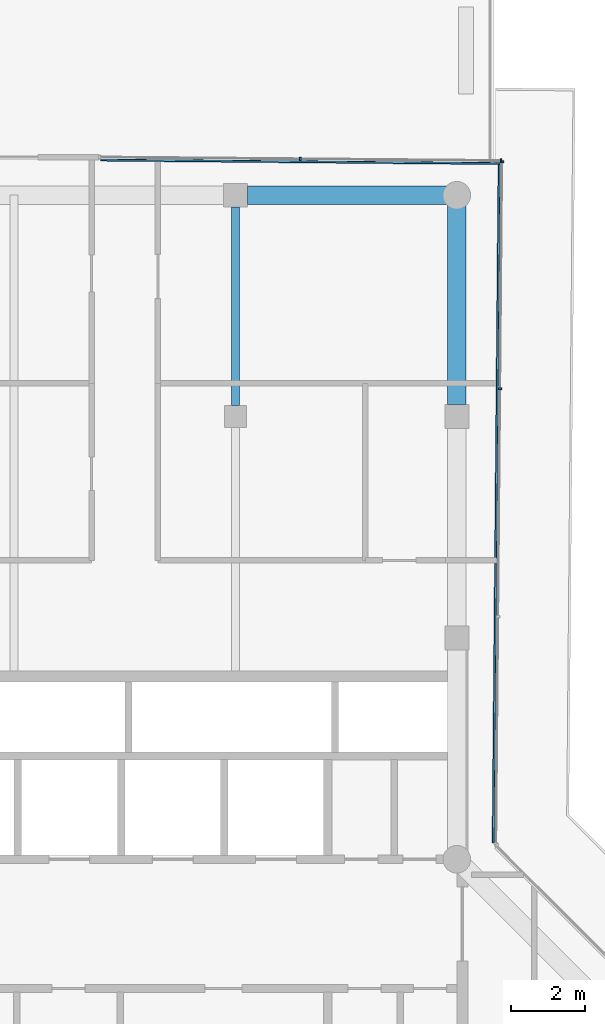
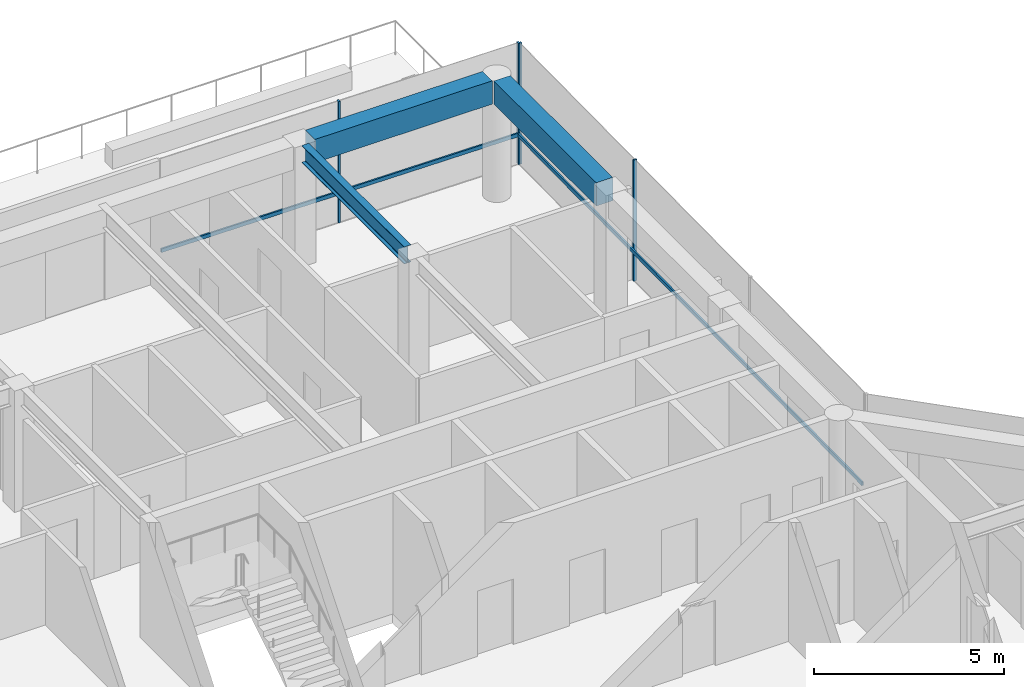
# One storey, part 11 of 17: 6 members, 3 beams, 2 elements without a shape of their own.
"""IFC4 building model written with IfcOpenShell, lengths in metres."""

import ifcopenshell
import ifcopenshell.guid

model = None  # the IFC model being written
_history = None  # IfcOwnerHistory: only IFC2X3 demands one
_inside = {}  # id of a spatial element -> (the spatial element, [elements in it])
_under = {}  # id of a project, library or spatial element -> (it, [spatial elements below it])
_declared = {}  # id of a project -> (the project, [libraries it declares])
_typed = {}  # id of a type object -> (the type object, [elements of that type])
_made_of = {}  # id of a material, layer set ... -> (it, [elements and type objects made of it])


def new_model(schema):
    """Start an empty IFC model of exactly this schema.

    Asked for "IFC4X3", IfcOpenShell would pick the latest addendum, in which some entities
    have other attributes; the version numbers below select the first issue.
    IFC2X3 requires an IfcOwnerHistory on every rooted entity: one is made here for all.
    """
    global model, _history
    if schema == "IFC4X3":
        model = ifcopenshell.file(schema_version=(4, 3, 0, 0))
    else:
        model = ifcopenshell.file(schema=schema)
    _inside.clear()
    _under.clear()
    _declared.clear()
    _typed.clear()
    _made_of.clear()
    _history = None
    if model.schema == "IFC2X3":
        org = make("IfcOrganization", Name="unknown")
        user = make(
            "IfcPersonAndOrganization",
            ThePerson=make("IfcPerson", FamilyName="unknown"),
            TheOrganization=org,
        )
        app = make(
            "IfcApplication",
            ApplicationDeveloper=org,
            Version="unknown",
            ApplicationFullName="unknown",
            ApplicationIdentifier="unknown",
        )
        _history = make(
            "IfcOwnerHistory",
            OwningUser=user,
            OwningApplication=app,
            ChangeAction="ADDED",
            CreationDate=0,
        )
    return model


def make(cls, **values):
    """One entity of the class cls with the attributes given. An attribute that is None is left unset."""
    return model.create_entity(
        cls, **{name: value for name, value in values.items() if value is not None}
    )


def rooted(cls, **values):
    """An entity with a GlobalId (a new one), such as an element, a storey or a relation."""
    return make(cls, GlobalId=ifcopenshell.guid.new(), OwnerHistory=_history, **values)


def si_unit(unit_type, name, prefix=None):
    """IfcSIUnit, for example si_unit("LENGTHUNIT", "METRE", prefix="MILLI")."""
    return make("IfcSIUnit", UnitType=unit_type, Prefix=prefix, Name=name)


def assignment(units):
    """IfcUnitAssignment: the units of a project."""
    return None if units is None else make("IfcUnitAssignment", Units=units)


def point(xyz):
    """IfcCartesianPoint."""
    return None if xyz is None else make("IfcCartesianPoint", Coordinates=xyz)


def direction(xyz):
    """IfcDirection."""
    return None if xyz is None else make("IfcDirection", DirectionRatios=xyz)


def frame(location, z_axis=None, x_axis=None):
    """IfcAxis2Placement3D, a coordinate frame: its origin and axes. An axis left out is left unset."""
    return make(
        "IfcAxis2Placement3D",
        Location=point(location),
        Axis=direction(z_axis),
        RefDirection=direction(x_axis),
    )


def frame_2d(location, x_axis=None):
    """IfcAxis2Placement2D, a coordinate frame in the plane: its origin and x axis."""
    return make(
        "IfcAxis2Placement2D", Location=point(location), RefDirection=direction(x_axis)
    )


def origin():
    """The frame at (0, 0, 0) with its axes left unset."""
    return frame((0.0, 0.0, 0.0))


def origin_2d():
    """The frame at (0, 0) in the plane with its x axis left unset."""
    return frame_2d((0.0, 0.0))


def place(relative_to, where):
    """IfcLocalPlacement: puts the frame where relative to a parent placement (None: the world)."""
    return make(
        "IfcLocalPlacement", PlacementRelTo=relative_to, RelativePlacement=where
    )


def context(
    kind, dimensions, precision=None, world=None, true_north=None, identifier=None
):
    """IfcGeometricRepresentationContext, for example the 3D "Model" context."""
    return make(
        "IfcGeometricRepresentationContext",
        ContextIdentifier=identifier,
        ContextType=kind,
        CoordinateSpaceDimension=dimensions,
        Precision=precision,
        WorldCoordinateSystem=world,
        TrueNorth=true_north,
    )


def subcontext(parent, identifier, kind, view, scale=None):
    """IfcGeometricRepresentationSubContext, for example "Body" below "Model"."""
    return make(
        "IfcGeometricRepresentationSubContext",
        ContextIdentifier=identifier,
        ContextType=kind,
        ParentContext=parent,
        TargetScale=scale,
        TargetView=view,
    )


def project(units=None, contexts=None):
    """IfcProject with its units and contexts."""
    return rooted(
        "IfcProject",
        Name="project",
        RepresentationContexts=contexts,
        UnitsInContext=assignment(units),
    )


def spatial(cls, under=None, at=None, **own):
    """A site, building, storey or space (cls), placed at a placement, below another one or the project."""
    s = rooted(cls, ObjectPlacement=at, **own)
    if under is not None:
        _under.setdefault(under.id(), (under, []))[1].append(s)
    return s


def profile(cls, at=None, kind="AREA", **sizes):
    """A parametric profile (cls). Its sizes go by their IFC names, for example OverallWidth=200.0."""
    return make(cls, ProfileType=kind, Position=at, **sizes)


def rectangle(**sizes):
    """IfcRectangleProfileDef."""
    return profile("IfcRectangleProfileDef", **sizes)


def i_section(**sizes):
    """IfcIShapeProfileDef."""
    return profile("IfcIShapeProfileDef", **sizes)


def extrude(swept, where, along, depth):
    """IfcExtrudedAreaSolid: the profile swept, set in the frame where, extruded along a direction by depth."""
    return make(
        "IfcExtrudedAreaSolid",
        SweptArea=swept,
        Position=where,
        ExtrudedDirection=direction(along),
        Depth=depth,
    )


def shape(context_of_items, identifier, shape_type, items):
    """IfcShapeRepresentation: the items that make up one representation, for example the "Body"."""
    return make(
        "IfcShapeRepresentation",
        ContextOfItems=context_of_items,
        RepresentationIdentifier=identifier,
        RepresentationType=shape_type,
        Items=items,
    )


def material(Name=None, Category=None):
    """IfcMaterial."""
    return make("IfcMaterial", Name=Name, Category=Category)


def layer(
    of_material, thickness, ventilated=None, Name=None, Category=None, Priority=None
):
    """IfcMaterialLayer: one layer of a wall or slab, of a material (None: an air gap)."""
    return make(
        "IfcMaterialLayer",
        Material=of_material,
        LayerThickness=thickness,
        IsVentilated=ventilated,
        Name=Name,
        Category=Category,
        Priority=Priority,
    )


def layer_set(layers, Name=None):
    """IfcMaterialLayerSet."""
    return make("IfcMaterialLayerSet", MaterialLayers=layers, LayerSetName=Name)


def material_profile(
    of_material, cross_section, Name=None, Category=None, Priority=None
):
    """IfcMaterialProfile: a cross section and its material."""
    return make(
        "IfcMaterialProfile",
        Name=Name,
        Material=of_material,
        Profile=cross_section,
        Priority=Priority,
        Category=Category,
    )


def profile_set(profiles, Name=None, composite=None):
    """IfcMaterialProfileSet."""
    return make(
        "IfcMaterialProfileSet",
        Name=Name,
        MaterialProfiles=profiles,
        CompositeProfile=composite,
    )


def made_of(thing, what):
    """Note that an element or type object is made of a material, layer set ...; save() writes the relation."""
    if what is not None:
        _made_of.setdefault(what.id(), (what, []))[1].append(thing)
    return thing


def type_object(cls, material=None, **own):
    """A type object (cls), such as IfcWallType, which elements share."""
    return made_of(rooted(cls, **own), material)


def element(
    cls,
    number,
    at=None,
    inside=None,
    cuts=None,
    type_object=None,
    material=None,
    context=None,
    identifier="Body",
    shape_type=None,
    held_by="IfcProductDefinitionShape",
    body=None,
    shapes=None,
    **own,
):
    """One element of the class cls, such as IfcWall. Its Tag is "e" and its number.

    at: its placement. inside: the storey or other place that contains it. cuts: it is an
    opening in that element (IfcRelVoidsElement). A single representation is given by context,
    identifier, shape_type and body (its items); several are given by shapes. held_by: the class
    of the entity that holds the representations. save() writes the other relations.
    """
    e = rooted(cls, Tag="e%d" % number, ObjectPlacement=at, **own)
    if body is not None:
        shapes = [shape(context, identifier, shape_type, body)]
    if shapes is not None:
        e.Representation = make(held_by, Representations=shapes)
    if inside is not None:
        _inside.setdefault(inside.id(), (inside, []))[1].append(e)
    if cuts is not None:
        rooted(
            "IfcRelVoidsElement", RelatingBuildingElement=cuts, RelatedOpeningElement=e
        )
    if type_object is not None:
        _typed.setdefault(type_object.id(), (type_object, []))[1].append(e)
    return made_of(e, material)


def aggregate(whole, parts):
    """IfcRelAggregates: a whole, such as a stair, and the parts it consists of."""
    return rooted("IfcRelAggregates", RelatingObject=whole, RelatedObjects=parts)


def save(model, path):
    """Write the relations noted so far, then the file.

    IfcRelAggregates (storeys below a building ...), IfcRelContainedInSpatialStructure (elements
    in a storey), IfcRelDefinesByType, IfcRelAssociatesMaterial and IfcRelDeclares: one each for
    every whole, place, type object, material and project.
    """
    for whole, parts in _under.values():
        aggregate(whole, parts)
    for where, things in _inside.values():
        rooted(
            "IfcRelContainedInSpatialStructure",
            RelatedElements=things,
            RelatingStructure=where,
        )
    for kind, things in _typed.values():
        rooted("IfcRelDefinesByType", RelatedObjects=things, RelatingType=kind)
    for what, things in _made_of.values():
        rooted("IfcRelAssociatesMaterial", RelatedObjects=things, RelatingMaterial=what)
    for by, libraries in _declared.values():
        rooted("IfcRelDeclares", RelatingContext=by, RelatedDefinitions=libraries)
    model.write(path)


model = new_model("IFC4")

# Units and contexts
model_context = context("Model", 3, precision=1e-05, world=origin(), true_north=direction((0.0, 1.0)))
body_context = subcontext(model_context, "Body", "Model", "MODEL_VIEW")
ifc_project = project(units=[si_unit("LENGTHUNIT", "METRE"), si_unit("AREAUNIT", "SQUARE_METRE"), si_unit("VOLUMEUNIT", "CUBIC_METRE"), si_unit("PLANEANGLEUNIT", "RADIAN"), si_unit("MASSUNIT", "GRAM", prefix="KILO")], contexts=[model_context])

# Site, building, storey
site_placement = place(None, origin())
site = spatial("IfcSite", under=ifc_project, at=site_placement, CompositionType="ELEMENT")
building_placement = place(site_placement, origin())
building = spatial("IfcBuilding", under=site, at=building_placement, Name="Welwitschia Terrace Campus", CompositionType="ELEMENT")
storey_placement = place(building_placement, frame((0.0, 0.0, 335.60009765625)))
storey = spatial("IfcBuildingStorey", under=building, at=storey_placement, Name="L75", CompositionType="ELEMENT", Elevation=335.60009765625)

# Beam
ifc_material_1 = material(Name="Steel S355", Category="steel")
ifc_material_profile_1 = material_profile(ifc_material_1, i_section(OverallWidth=0.2099609375, OverallDepth=0.550048828125, WebThickness=0.010986328125, FlangeThickness=0.01708984375, FilletRadius=0.02392578125, at=origin_2d()))
ifc_profile_set_1 = profile_set([ifc_material_profile_1], Name="Steel S355")
beam_type_1 = type_object("IfcBeamType", Name="Interior girder IPE 550", PredefinedType="BEAM", material=ifc_profile_set_1)
beam_placement = place(storey_placement, frame((18.0, 32.300537109375, 3.625), z_axis=(0.0, 1.0, 0.0), x_axis=(-1.0, 0.0, 0.0)))
element("IfcBeam", 1, at=beam_placement, inside=storey, type_object=beam_type_1, Name="Girder GB7", PredefinedType="BEAM", context=body_context, shape_type="SweptSolid", body=[
    extrude(i_section(OverallWidth=0.2099609375, OverallDepth=0.550048828125, WebThickness=0.010986328125, FlangeThickness=0.01708984375, FilletRadius=0.02392578125, at=origin_2d()), origin(), (0.0, 0.0, 1.0), 5.384033203125),
])

# Curtain wall, members
ifc_material_2 = material(Name="Bronze anodised aluminium", Category="aluminium")
ifc_layer = layer(ifc_material_2, 0.10009765625)
ifc_layer_set = layer_set([ifc_layer], Name="Bronze anodised aluminium")
curtain_wall_type = type_object("IfcCurtainWallType", Name="Curtain wall CW5 crown 6000", PredefinedType="NOTDEFINED", material=ifc_layer_set)
curtain_wall_1_placement = place(storey_placement, origin())
curtain_wall_1 = element("IfcCurtainWall", 2, at=curtain_wall_1_placement, inside=storey, type_object=curtain_wall_type, Name="CW L75.8.0", PredefinedType="NOTDEFINED")
ifc_material_3 = material(Name="Bronze anodised aluminium", Category="aluminium")
ifc_material_profile_2 = material_profile(ifc_material_3, rectangle(XDim=0.10009765625, YDim=0.050048828125, at=origin_2d()))
ifc_profile_set_2 = profile_set([ifc_material_profile_2], Name="Bronze anodised aluminium")
member_type_1 = type_object("IfcMemberType", Name="Mullion 50x100", PredefinedType="MULLION", material=ifc_profile_set_2)
member_1_placement = place(storey_placement, frame((25.1689453125, 32.7548828125, 0.0), z_axis=(0.0, 0.0, 1.0), x_axis=(-0.999961923064, 0.008726535498, 0.0)))
member_1 = element("IfcMember", 3, at=member_1_placement, type_object=member_type_1, Name="Mullion L75.8.0.2", PredefinedType="MULLION", context=body_context, shape_type="SweptSolid", body=[
    extrude(rectangle(XDim=0.10009765625, YDim=0.050048828125, at=origin_2d()), origin(), (0.0, 0.0, 1.0), 3.89990234375),
])
member_2_placement = place(storey_placement, frame((25.22265625, 38.90966796875, 0.0), z_axis=(0.0, 0.0, 1.0), x_axis=(-0.999961923064, 0.008726535498, 0.0)))
member_2 = element("IfcMember", 4, at=member_2_placement, type_object=member_type_1, Name="Mullion L75.8.0.3", PredefinedType="MULLION", context=body_context, shape_type="SweptSolid", body=[
    extrude(rectangle(XDim=0.10009765625, YDim=0.050048828125, at=origin_2d()), origin(), (0.0, 0.0, 1.0), 3.89990234375),
])

curtain_wall_2_placement = place(storey_placement, origin())
curtain_wall_2 = element("IfcCurtainWall", 5, at=curtain_wall_2_placement, inside=storey, type_object=curtain_wall_type, Name="CW L75.9.0", PredefinedType="NOTDEFINED")
member_3_placement = place(storey_placement, frame((25.197998046875, 38.934814453125, 0.0), z_axis=(0.0, 0.0, 1.0), x_axis=(-0.008726535498, -0.999961923064, 0.0)))
member_3 = element("IfcMember", 6, at=member_3_placement, type_object=member_type_1, Name="Mullion L75.9.0.0", PredefinedType="MULLION", context=body_context, shape_type="SweptSolid", body=[
    extrude(rectangle(XDim=0.10009765625, YDim=0.050048828125, at=origin_2d()), origin(), (0.0, 0.0, 1.0), 3.89990234375),
])
member_4_placement = place(storey_placement, frame((19.759765625, 38.982421875, 0.0), z_axis=(0.0, 0.0, 1.0), x_axis=(-0.008726535498, -0.999961923064, 0.0)))
member_4 = element("IfcMember", 7, at=member_4_placement, type_object=member_type_1, Name="Mullion L75.9.0.1", PredefinedType="MULLION", context=body_context, shape_type="SweptSolid", body=[
    extrude(rectangle(XDim=0.10009765625, YDim=0.050048828125, at=origin_2d()), origin(), (0.0, 0.0, 1.0), 3.89990234375),
])

# Beams
ifc_material_4 = material(Name="Concrete C40/50", Category="concrete")
ifc_material_profile_3 = material_profile(ifc_material_4, rectangle(XDim=0.5, YDim=0.75, at=origin_2d()))
ifc_profile_set_3 = profile_set([ifc_material_profile_3], Name="Concrete C40/50")
beam_type_2 = type_object("IfcBeamType", Name="Ring spandrel 500x750", PredefinedType="SPANDREL", material=ifc_profile_set_3)
for number, where, z_axis, x_axis, name in (
    (8, (24.0, 32.325439453125, 3.52490234375), (0.0, 1.0, 0.0), (-1.0, 0.0, 0.0), "Spandrel SP5"),
    (9, (23.719482421875, 38.0, 3.52490234375), (-1.0, 0.0, 0.0), (0.0, -1.0, 0.0), "Spandrel SP5"),
):
    element("IfcBeam", number, at=place(storey_placement, frame(where, z_axis=z_axis, x_axis=x_axis)), inside=storey, type_object=beam_type_2, Name=name, PredefinedType="SPANDREL", context=body_context, shape_type="SweptSolid", body=[
        extrude(rectangle(XDim=0.5, YDim=0.75, at=origin_2d()), origin(), (0.0, 0.0, 1.0), 5.39404296875),
    ])

# Member
ifc_material_5 = material(Name="Bronze anodised aluminium", Category="aluminium")
ifc_material_profile_4 = material_profile(ifc_material_5, rectangle(XDim=0.050048828125, YDim=0.1201171875, at=origin_2d()))
ifc_profile_set_4 = profile_set([ifc_material_profile_4], Name="Bronze anodised aluminium")
member_type_2 = type_object("IfcMemberType", Name="Transom 50x120", PredefinedType="USERDEFINED", material=ifc_profile_set_4)
member_5_placement = place(storey_placement, frame((24.986572265625, 20.4462890625, 1.0), z_axis=(0.00872513989, 0.999961935242, 0.0), x_axis=(-0.999961935242, 0.00872513989, 0.0)))
member_5 = element("IfcMember", 10, at=member_5_placement, type_object=member_type_2, Name="Transom L75.8.0", ObjectType="TRANSOM", PredefinedType="USERDEFINED", context=body_context, shape_type="SweptSolid", body=[
    extrude(rectangle(XDim=0.050048828125, YDim=0.1201171875, at=origin_2d()), origin(), (0.0, 0.0, 1.0), 18.439697265625),
])

aggregate(curtain_wall_1, [member_1, member_2, member_5])

member_6_placement = place(storey_placement, frame((25.17236328125, 38.860107421875, 1.0), z_axis=(-0.99996191996, 0.008726891192, 0.0), x_axis=(-0.008726891192, -0.99996191996, 0.0)))
member_6 = element("IfcMember", 11, at=member_6_placement, type_object=member_type_2, Name="Transom L75.9.0", ObjectType="TRANSOM", PredefinedType="USERDEFINED", context=body_context, shape_type="SweptSolid", body=[
    extrude(rectangle(XDim=0.050048828125, YDim=0.1201171875, at=origin_2d()), origin(), (0.0, 0.0, 1.0), 10.82666015625),
])

aggregate(curtain_wall_2, [member_3, member_4, member_6])

save(model, "model.ifc")
